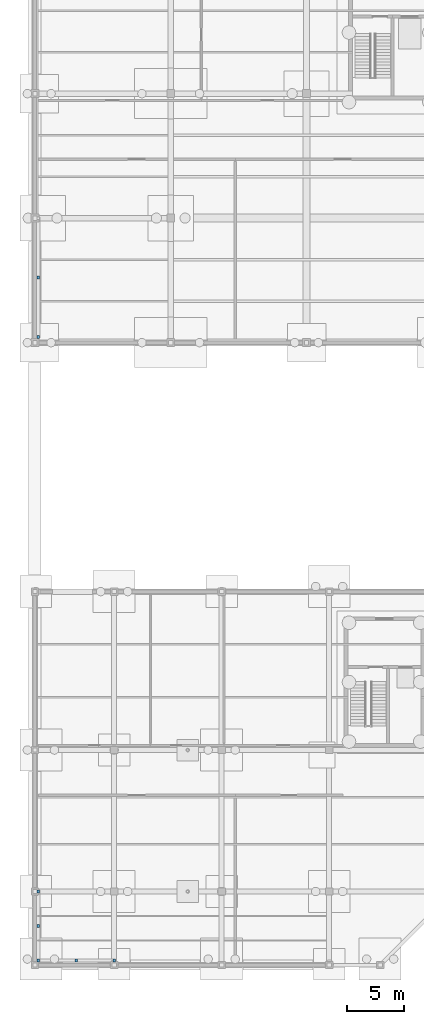
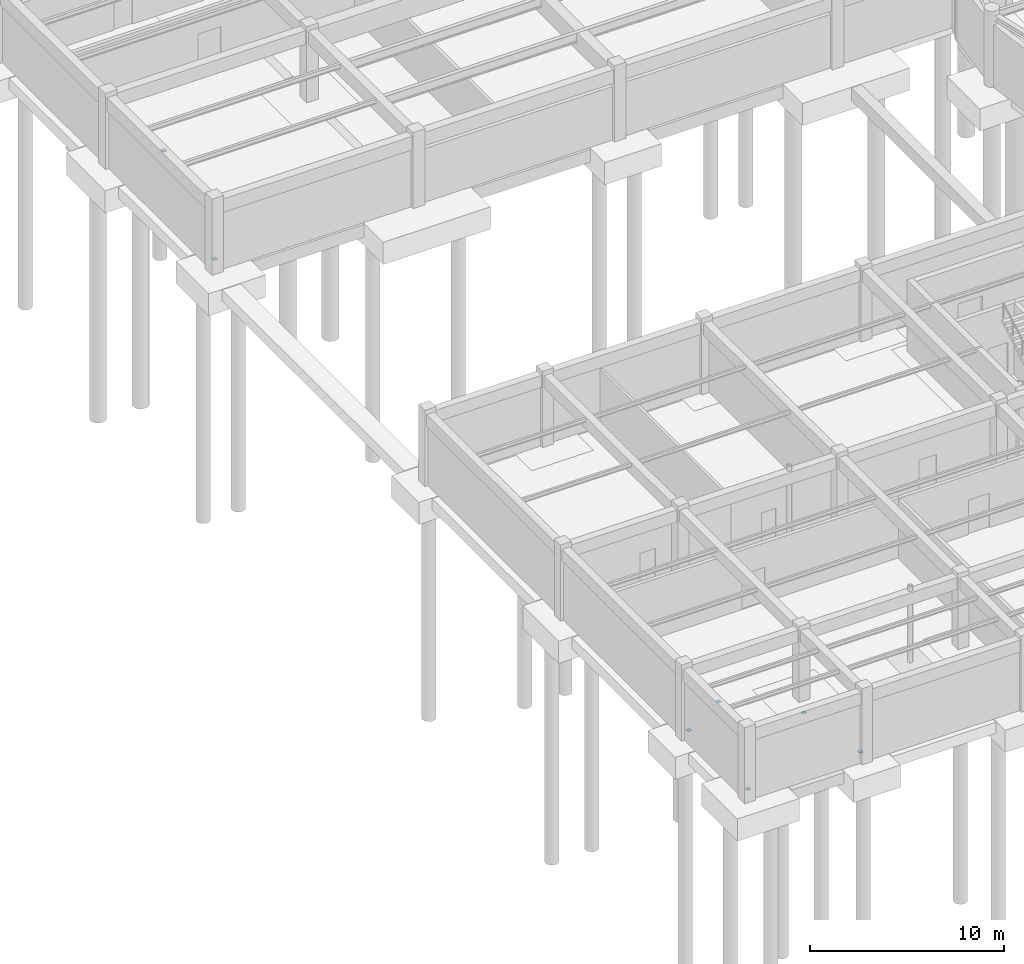
# One storey, part 29 of 42: 7 discrete accessories.
"""IFC4 building model written with IfcOpenShell, lengths in metres."""

from ifc_helpers import new_model, si_unit, direction, frame, origin, origin_2d, place, context, subcontext, project, spatial, rectangle, extrude, material, type_object, element, save


model = new_model("IFC4")

# Units and contexts
model_context = context("Model", 3, precision=1e-05, world=origin(), true_north=direction((0.0, 1.0)))
body_context = subcontext(model_context, "Body", "Model", "MODEL_VIEW")
ifc_project = project(units=[si_unit("LENGTHUNIT", "METRE"), si_unit("AREAUNIT", "SQUARE_METRE"), si_unit("VOLUMEUNIT", "CUBIC_METRE"), si_unit("PLANEANGLEUNIT", "RADIAN"), si_unit("MASSUNIT", "GRAM", prefix="KILO")], contexts=[model_context])

# Site, building, storey
site_placement = place(None, origin())
site = spatial("IfcSite", under=ifc_project, at=site_placement, CompositionType="ELEMENT")
building_placement = place(site_placement, origin())
building = spatial("IfcBuilding", under=site, at=building_placement, Name="Tarnveldt Headland Concert Hall", CompositionType="ELEMENT")
storey_placement = place(building_placement, frame((0.0, 0.0, -4.800048828125)))
storey = spatial("IfcBuildingStorey", under=building, at=storey_placement, Name="B1", CompositionType="ELEMENT", Elevation=-4.800048828125)

# Discrete accessories
ifc_material = material(Name="Steel S355", Category="steel")
discrete_accessory_type = type_object("IfcDiscreteAccessoryType", Name="DA-GUS25", PredefinedType="BRACKET", material=ifc_material)
for number, where, z_axis, x_axis, name in (
    (1, (7.800048828125, 5.39990234375, 0.28759765625), (0.0, 0.0, 1.0), (1.0, 0.0, 0.0), "Bolted brace gusset connection 1"),
    (2, (14.5, 5.39990234375, 0.28759765625), (0.0, 0.0, 1.0), (1.0, 0.0, 0.0), "Bolted brace gusset connection 2"),
    (3, (11.14990234375, 5.39990234375, 3.9375), (0.0, 0.0, 1.0), (1.0, 0.0, 0.0), "Bolted brace gusset connection 3"),
    (4, (7.800048828125, 11.5, 0.28759765625), (0.0, 0.0, 1.0), (1.0, 0.0, 0.0), "Bolted brace gusset connection 4"),
    (5, (7.800048828125, 8.449951171875, 3.9375), (0.0, 0.0, 1.0), (1.0, 0.0, 0.0), "Bolted brace gusset connection 5"),
    (6, (7.800048828125, 60.5, 0.28759765625), (0.0, 0.0, 1.0), (1.0, 0.0, 0.0), "Bolted brace gusset connection 6"),
    (7, (7.800048828125, 65.75, 3.9375), (0.0, 0.0, 1.0), (1.0, 0.0, 0.0), "Bolted brace gusset connection 8"),
):
    element("IfcDiscreteAccessory", number, at=place(storey_placement, frame(where, z_axis=z_axis, x_axis=x_axis)), inside=storey, type_object=discrete_accessory_type, Name=name, PredefinedType="BRACKET", context=body_context, shape_type="SweptSolid", body=[
        extrude(rectangle(XDim=0.239990234375, YDim=0.239990234375, at=origin_2d()), origin(), (0.0, 0.0, 1.0), 0.02490234375),
    ])

save(model, "model.ifc")
